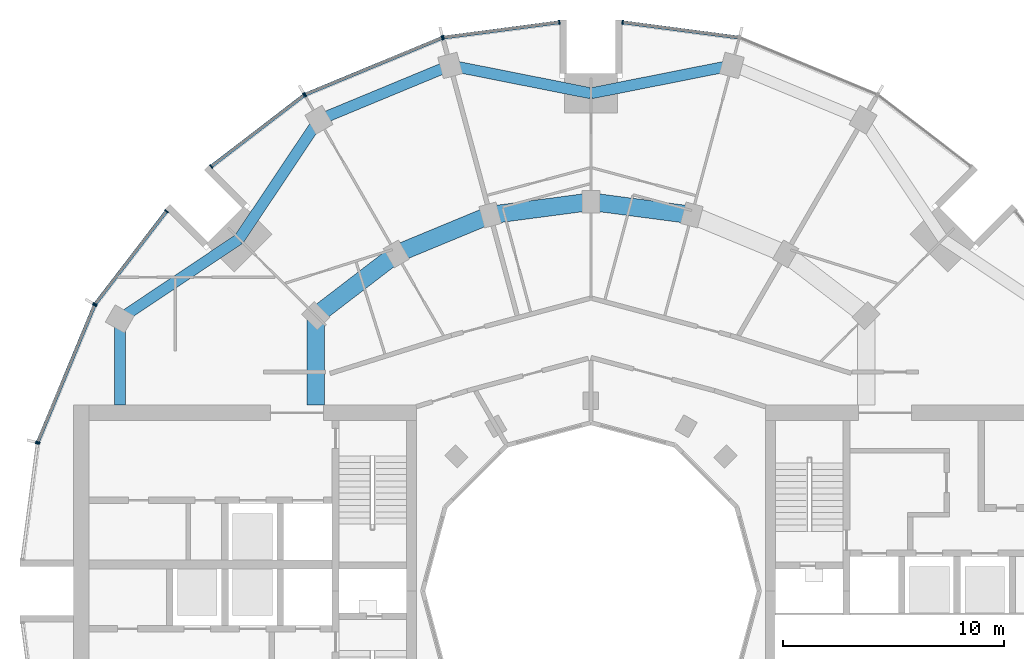
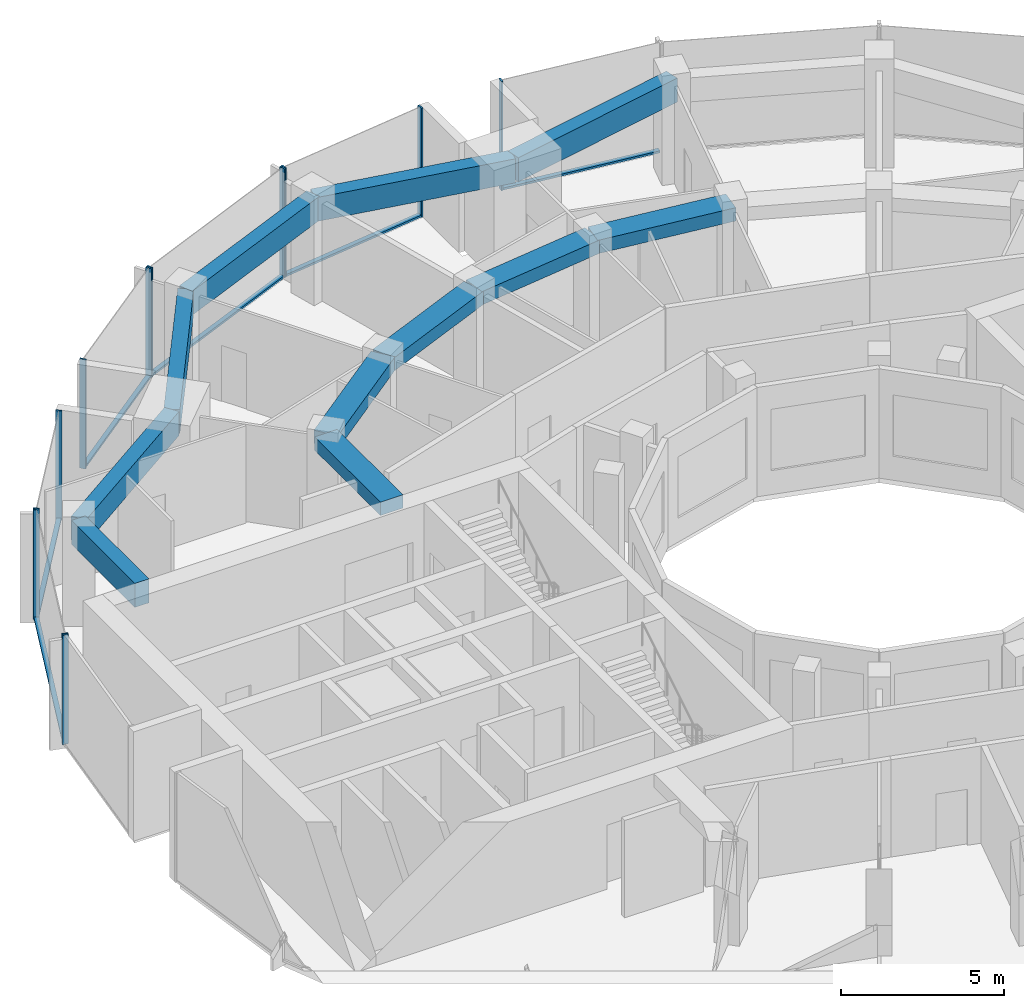
# One storey, part 5 of 15: 18 members, 11 beams, 7 elements without a shape of their own.
"""IFC4 building model written with IfcOpenShell, lengths in metres."""

import ifcopenshell
import ifcopenshell.guid

model = None  # the IFC model being written
_history = None  # IfcOwnerHistory: only IFC2X3 demands one
_inside = {}  # id of a spatial element -> (the spatial element, [elements in it])
_under = {}  # id of a project, library or spatial element -> (it, [spatial elements below it])
_declared = {}  # id of a project -> (the project, [libraries it declares])
_typed = {}  # id of a type object -> (the type object, [elements of that type])
_made_of = {}  # id of a material, layer set ... -> (it, [elements and type objects made of it])


def new_model(schema):
    """Start an empty IFC model of exactly this schema.

    Asked for "IFC4X3", IfcOpenShell would pick the latest addendum, in which some entities
    have other attributes; the version numbers below select the first issue.
    IFC2X3 requires an IfcOwnerHistory on every rooted entity: one is made here for all.
    """
    global model, _history
    if schema == "IFC4X3":
        model = ifcopenshell.file(schema_version=(4, 3, 0, 0))
    else:
        model = ifcopenshell.file(schema=schema)
    _inside.clear()
    _under.clear()
    _declared.clear()
    _typed.clear()
    _made_of.clear()
    _history = None
    if model.schema == "IFC2X3":
        org = make("IfcOrganization", Name="unknown")
        user = make(
            "IfcPersonAndOrganization",
            ThePerson=make("IfcPerson", FamilyName="unknown"),
            TheOrganization=org,
        )
        app = make(
            "IfcApplication",
            ApplicationDeveloper=org,
            Version="unknown",
            ApplicationFullName="unknown",
            ApplicationIdentifier="unknown",
        )
        _history = make(
            "IfcOwnerHistory",
            OwningUser=user,
            OwningApplication=app,
            ChangeAction="ADDED",
            CreationDate=0,
        )
    return model


def make(cls, **values):
    """One entity of the class cls with the attributes given. An attribute that is None is left unset."""
    return model.create_entity(
        cls, **{name: value for name, value in values.items() if value is not None}
    )


def rooted(cls, **values):
    """An entity with a GlobalId (a new one), such as an element, a storey or a relation."""
    return make(cls, GlobalId=ifcopenshell.guid.new(), OwnerHistory=_history, **values)


def si_unit(unit_type, name, prefix=None):
    """IfcSIUnit, for example si_unit("LENGTHUNIT", "METRE", prefix="MILLI")."""
    return make("IfcSIUnit", UnitType=unit_type, Prefix=prefix, Name=name)


def assignment(units):
    """IfcUnitAssignment: the units of a project."""
    return None if units is None else make("IfcUnitAssignment", Units=units)


def point(xyz):
    """IfcCartesianPoint."""
    return None if xyz is None else make("IfcCartesianPoint", Coordinates=xyz)


def direction(xyz):
    """IfcDirection."""
    return None if xyz is None else make("IfcDirection", DirectionRatios=xyz)


def frame(location, z_axis=None, x_axis=None):
    """IfcAxis2Placement3D, a coordinate frame: its origin and axes. An axis left out is left unset."""
    return make(
        "IfcAxis2Placement3D",
        Location=point(location),
        Axis=direction(z_axis),
        RefDirection=direction(x_axis),
    )


def frame_2d(location, x_axis=None):
    """IfcAxis2Placement2D, a coordinate frame in the plane: its origin and x axis."""
    return make(
        "IfcAxis2Placement2D", Location=point(location), RefDirection=direction(x_axis)
    )


def origin():
    """The frame at (0, 0, 0) with its axes left unset."""
    return frame((0.0, 0.0, 0.0))


def origin_2d():
    """The frame at (0, 0) in the plane with its x axis left unset."""
    return frame_2d((0.0, 0.0))


def place(relative_to, where):
    """IfcLocalPlacement: puts the frame where relative to a parent placement (None: the world)."""
    return make(
        "IfcLocalPlacement", PlacementRelTo=relative_to, RelativePlacement=where
    )


def context(
    kind, dimensions, precision=None, world=None, true_north=None, identifier=None
):
    """IfcGeometricRepresentationContext, for example the 3D "Model" context."""
    return make(
        "IfcGeometricRepresentationContext",
        ContextIdentifier=identifier,
        ContextType=kind,
        CoordinateSpaceDimension=dimensions,
        Precision=precision,
        WorldCoordinateSystem=world,
        TrueNorth=true_north,
    )


def subcontext(parent, identifier, kind, view, scale=None):
    """IfcGeometricRepresentationSubContext, for example "Body" below "Model"."""
    return make(
        "IfcGeometricRepresentationSubContext",
        ContextIdentifier=identifier,
        ContextType=kind,
        ParentContext=parent,
        TargetScale=scale,
        TargetView=view,
    )


def project(units=None, contexts=None):
    """IfcProject with its units and contexts."""
    return rooted(
        "IfcProject",
        Name="project",
        RepresentationContexts=contexts,
        UnitsInContext=assignment(units),
    )


def spatial(cls, under=None, at=None, **own):
    """A site, building, storey or space (cls), placed at a placement, below another one or the project."""
    s = rooted(cls, ObjectPlacement=at, **own)
    if under is not None:
        _under.setdefault(under.id(), (under, []))[1].append(s)
    return s


def profile(cls, at=None, kind="AREA", **sizes):
    """A parametric profile (cls). Its sizes go by their IFC names, for example OverallWidth=200.0."""
    return make(cls, ProfileType=kind, Position=at, **sizes)


def rectangle(**sizes):
    """IfcRectangleProfileDef."""
    return profile("IfcRectangleProfileDef", **sizes)


def extrude(swept, where, along, depth):
    """IfcExtrudedAreaSolid: the profile swept, set in the frame where, extruded along a direction by depth."""
    return make(
        "IfcExtrudedAreaSolid",
        SweptArea=swept,
        Position=where,
        ExtrudedDirection=direction(along),
        Depth=depth,
    )


def shape(context_of_items, identifier, shape_type, items):
    """IfcShapeRepresentation: the items that make up one representation, for example the "Body"."""
    return make(
        "IfcShapeRepresentation",
        ContextOfItems=context_of_items,
        RepresentationIdentifier=identifier,
        RepresentationType=shape_type,
        Items=items,
    )


def material(Name=None, Category=None):
    """IfcMaterial."""
    return make("IfcMaterial", Name=Name, Category=Category)


def layer(
    of_material, thickness, ventilated=None, Name=None, Category=None, Priority=None
):
    """IfcMaterialLayer: one layer of a wall or slab, of a material (None: an air gap)."""
    return make(
        "IfcMaterialLayer",
        Material=of_material,
        LayerThickness=thickness,
        IsVentilated=ventilated,
        Name=Name,
        Category=Category,
        Priority=Priority,
    )


def layer_set(layers, Name=None):
    """IfcMaterialLayerSet."""
    return make("IfcMaterialLayerSet", MaterialLayers=layers, LayerSetName=Name)


def material_profile(
    of_material, cross_section, Name=None, Category=None, Priority=None
):
    """IfcMaterialProfile: a cross section and its material."""
    return make(
        "IfcMaterialProfile",
        Name=Name,
        Material=of_material,
        Profile=cross_section,
        Priority=Priority,
        Category=Category,
    )


def profile_set(profiles, Name=None, composite=None):
    """IfcMaterialProfileSet."""
    return make(
        "IfcMaterialProfileSet",
        Name=Name,
        MaterialProfiles=profiles,
        CompositeProfile=composite,
    )


def made_of(thing, what):
    """Note that an element or type object is made of a material, layer set ...; save() writes the relation."""
    if what is not None:
        _made_of.setdefault(what.id(), (what, []))[1].append(thing)
    return thing


def type_object(cls, material=None, **own):
    """A type object (cls), such as IfcWallType, which elements share."""
    return made_of(rooted(cls, **own), material)


def element(
    cls,
    number,
    at=None,
    inside=None,
    cuts=None,
    type_object=None,
    material=None,
    context=None,
    identifier="Body",
    shape_type=None,
    held_by="IfcProductDefinitionShape",
    body=None,
    shapes=None,
    **own,
):
    """One element of the class cls, such as IfcWall. Its Tag is "e" and its number.

    at: its placement. inside: the storey or other place that contains it. cuts: it is an
    opening in that element (IfcRelVoidsElement). A single representation is given by context,
    identifier, shape_type and body (its items); several are given by shapes. held_by: the class
    of the entity that holds the representations. save() writes the other relations.
    """
    e = rooted(cls, Tag="e%d" % number, ObjectPlacement=at, **own)
    if body is not None:
        shapes = [shape(context, identifier, shape_type, body)]
    if shapes is not None:
        e.Representation = make(held_by, Representations=shapes)
    if inside is not None:
        _inside.setdefault(inside.id(), (inside, []))[1].append(e)
    if cuts is not None:
        rooted(
            "IfcRelVoidsElement", RelatingBuildingElement=cuts, RelatedOpeningElement=e
        )
    if type_object is not None:
        _typed.setdefault(type_object.id(), (type_object, []))[1].append(e)
    return made_of(e, material)


def aggregate(whole, parts):
    """IfcRelAggregates: a whole, such as a stair, and the parts it consists of."""
    return rooted("IfcRelAggregates", RelatingObject=whole, RelatedObjects=parts)


def save(model, path):
    """Write the relations noted so far, then the file.

    IfcRelAggregates (storeys below a building ...), IfcRelContainedInSpatialStructure (elements
    in a storey), IfcRelDefinesByType, IfcRelAssociatesMaterial and IfcRelDeclares: one each for
    every whole, place, type object, material and project.
    """
    for whole, parts in _under.values():
        aggregate(whole, parts)
    for where, things in _inside.values():
        rooted(
            "IfcRelContainedInSpatialStructure",
            RelatedElements=things,
            RelatingStructure=where,
        )
    for kind, things in _typed.values():
        rooted("IfcRelDefinesByType", RelatedObjects=things, RelatingType=kind)
    for what, things in _made_of.values():
        rooted("IfcRelAssociatesMaterial", RelatedObjects=things, RelatingMaterial=what)
    for by, libraries in _declared.values():
        rooted("IfcRelDeclares", RelatingContext=by, RelatedDefinitions=libraries)
    model.write(path)


model = new_model("IFC4")

# Units and contexts
model_context = context("Model", 3, precision=1e-05, world=origin(), true_north=direction((0.0, 1.0)))
body_context = subcontext(model_context, "Body", "Model", "MODEL_VIEW")
ifc_project = project(units=[si_unit("LENGTHUNIT", "METRE"), si_unit("AREAUNIT", "SQUARE_METRE"), si_unit("VOLUMEUNIT", "CUBIC_METRE"), si_unit("PLANEANGLEUNIT", "RADIAN"), si_unit("MASSUNIT", "GRAM", prefix="KILO")], contexts=[model_context])

# Site, building, storey
site_placement = place(None, origin())
site = spatial("IfcSite", under=ifc_project, at=site_placement, CompositionType="ELEMENT")
building_placement = place(site_placement, origin())
building = spatial("IfcBuilding", under=site, at=building_placement, Name="Torre Brocal", CompositionType="ELEMENT")
storey_placement = place(building_placement, frame((0.0, 0.0, 202.800048828125)))
storey = spatial("IfcBuildingStorey", under=building, at=storey_placement, Name="L47", CompositionType="ELEMENT", Elevation=202.800048828125)

# Curtain wall, member
ifc_material_1 = material(Name="Aluminium and glass", Category="aluminium")
ifc_layer_1 = layer(ifc_material_1, 0.199951171875)
ifc_layer_set_1 = layer_set([ifc_layer_1], Name="Aluminium and glass")
curtain_wall_type_1 = type_object("IfcCurtainWallType", Name="CW-1 CURTAIN WALL 4100 HIGH", PredefinedType="NOTDEFINED", material=ifc_layer_set_1)
curtain_wall_1_placement = place(storey_placement, origin())
curtain_wall_1 = element("IfcCurtainWall", 1, at=curtain_wall_1_placement, inside=storey, type_object=curtain_wall_type_1, Name="CW-1 RUN 6", PredefinedType="NOTDEFINED")
ifc_material_2 = material(Name="Aluminium, dark anodised", Category="aluminium")
ifc_material_profile_1 = material_profile(ifc_material_2, rectangle(XDim=0.199951171875, YDim=0.06005859375, at=origin_2d()), Name="CW-1 MULLION 60X200")
ifc_profile_set_1 = profile_set([ifc_material_profile_1], Name="Aluminium, dark anodised")
member_type_1 = type_object("IfcMemberType", Name="CW-1 MULLION 60X200", PredefinedType="MULLION", material=ifc_profile_set_1)
member_1_placement = place(storey_placement, frame((81.4296875, 100.7109375, 0.0), z_axis=(0.0, 0.0, 1.0), x_axis=(-0.13052619222, -0.991444861374, 0.0)))
member_1 = element("IfcMember", 2, at=member_1_placement, type_object=member_type_1, Name="CW1-4 mullion 2", PredefinedType="MULLION", context=body_context, shape_type="SweptSolid", body=[
    extrude(rectangle(XDim=0.199951171875, YDim=0.06005859375, at=origin_2d()), origin(), (0.0, 0.0, 1.0), 4.099853515625),
])

# Curtain wall, members
curtain_wall_2_placement = place(storey_placement, origin())
curtain_wall_2 = element("IfcCurtainWall", 3, at=curtain_wall_2_placement, inside=storey, type_object=curtain_wall_type_1, Name="CW-1 RUN 7", PredefinedType="NOTDEFINED")
member_2_placement = place(storey_placement, frame((78.5703125, 100.7109375, 0.0), z_axis=(0.0, 0.0, 1.0), x_axis=(0.13052619222, -0.991444861374, 0.0)))
member_2 = element("IfcMember", 4, at=member_2_placement, type_object=member_type_1, Name="CW1-4 mullion 1", PredefinedType="MULLION", context=body_context, shape_type="SweptSolid", body=[
    extrude(rectangle(XDim=0.199951171875, YDim=0.06005859375, at=origin_2d()), origin(), (0.0, 0.0, 1.0), 4.099853515625),
])
member_3_placement = place(storey_placement, frame((73.32666015625, 100.0205078125, 0.0), z_axis=(0.0, 0.0, 1.0), x_axis=(0.13052619222, -0.991444861374, 0.0)))
member_3 = element("IfcMember", 5, at=member_3_placement, type_object=member_type_1, Name="CW1-4 mullion 2", PredefinedType="MULLION", context=body_context, shape_type="SweptSolid", body=[
    extrude(rectangle(XDim=0.199951171875, YDim=0.06005859375, at=origin_2d()), origin(), (0.0, 0.0, 1.0), 4.099853515625),
])

curtain_wall_3_placement = place(storey_placement, origin())
curtain_wall_3 = element("IfcCurtainWall", 6, at=curtain_wall_3_placement, inside=storey, type_object=curtain_wall_type_1, Name="CW-1 RUN 8", PredefinedType="NOTDEFINED")
member_4_placement = place(storey_placement, frame((73.26904296875, 100.005126953125, 0.0), z_axis=(0.0, 0.0, 1.0), x_axis=(0.382683432333, -0.923879532525, 0.0)))
member_4 = element("IfcMember", 7, at=member_4_placement, type_object=member_type_1, Name="CW1-4 mullion 1", PredefinedType="MULLION", context=body_context, shape_type="SweptSolid", body=[
    extrude(rectangle(XDim=0.199951171875, YDim=0.06005859375, at=origin_2d()), origin(), (0.0, 0.0, 1.0), 4.099853515625),
])
member_5_placement = place(storey_placement, frame((67.078125, 97.440673828125, 0.0), z_axis=(0.0, 0.0, 1.0), x_axis=(0.382683432333, -0.923879532525, 0.0)))
member_5 = element("IfcMember", 8, at=member_5_placement, type_object=member_type_1, Name="CW1-4 mullion 2", PredefinedType="MULLION", context=body_context, shape_type="SweptSolid", body=[
    extrude(rectangle(XDim=0.199951171875, YDim=0.06005859375, at=origin_2d()), origin(), (0.0, 0.0, 1.0), 4.099853515625),
])

curtain_wall_4_placement = place(storey_placement, origin())
curtain_wall_4 = element("IfcCurtainWall", 9, at=curtain_wall_4_placement, inside=storey, type_object=curtain_wall_type_1, Name="CW-1 RUN 9", PredefinedType="NOTDEFINED")
member_6_placement = place(storey_placement, frame((67.026611328125, 97.4111328125, 0.0), z_axis=(0.0, 0.0, 1.0), x_axis=(0.60876142905, -0.793353340259, 0.0)))
member_6 = element("IfcMember", 10, at=member_6_placement, type_object=member_type_1, Name="CW1-4 mullion 1", PredefinedType="MULLION", context=body_context, shape_type="SweptSolid", body=[
    extrude(rectangle(XDim=0.199951171875, YDim=0.06005859375, at=origin_2d()), origin(), (0.0, 0.0, 1.0), 4.099853515625),
])
member_7_placement = place(storey_placement, frame((62.83056640625, 94.19140625, 0.0), z_axis=(0.0, 0.0, 1.0), x_axis=(0.60876142905, -0.793353340259, 0.0)))
member_7 = element("IfcMember", 11, at=member_7_placement, type_object=member_type_1, Name="CW1-4 mullion 2", PredefinedType="MULLION", context=body_context, shape_type="SweptSolid", body=[
    extrude(rectangle(XDim=0.199951171875, YDim=0.06005859375, at=origin_2d()), origin(), (0.0, 0.0, 1.0), 4.099853515625),
])

curtain_wall_5_placement = place(storey_placement, origin())
curtain_wall_5 = element("IfcCurtainWall", 12, at=curtain_wall_5_placement, inside=storey, type_object=curtain_wall_type_1, Name="CW-1 RUN 10", PredefinedType="NOTDEFINED")
member_8_placement = place(storey_placement, frame((60.80859375, 92.16943359375, 0.0), z_axis=(0.0, 0.0, 1.0), x_axis=(0.793353340259, -0.60876142905, 0.0)))
member_8 = element("IfcMember", 13, at=member_8_placement, type_object=member_type_1, Name="CW1-4 mullion 1", PredefinedType="MULLION", context=body_context, shape_type="SweptSolid", body=[
    extrude(rectangle(XDim=0.199951171875, YDim=0.06005859375, at=origin_2d()), origin(), (0.0, 0.0, 1.0), 4.099853515625),
])
member_9_placement = place(storey_placement, frame((57.5888671875, 87.973388671875, 0.0), z_axis=(0.0, 0.0, 1.0), x_axis=(0.793353340259, -0.60876142905, 0.0)))
member_9 = element("IfcMember", 14, at=member_9_placement, type_object=member_type_1, Name="CW1-4 mullion 2", PredefinedType="MULLION", context=body_context, shape_type="SweptSolid", body=[
    extrude(rectangle(XDim=0.199951171875, YDim=0.06005859375, at=origin_2d()), origin(), (0.0, 0.0, 1.0), 4.099853515625),
])

curtain_wall_6_placement = place(storey_placement, origin())
curtain_wall_6 = element("IfcCurtainWall", 15, at=curtain_wall_6_placement, inside=storey, type_object=curtain_wall_type_1, Name="CW-1 RUN 11", PredefinedType="NOTDEFINED")
member_10_placement = place(storey_placement, frame((57.559326171875, 87.921875, 0.0), z_axis=(0.0, 0.0, 1.0), x_axis=(0.923879532525, -0.382683432333, 0.0)))
member_10 = element("IfcMember", 16, at=member_10_placement, type_object=member_type_1, Name="CW1-4 mullion 1", PredefinedType="MULLION", context=body_context, shape_type="SweptSolid", body=[
    extrude(rectangle(XDim=0.199951171875, YDim=0.06005859375, at=origin_2d()), origin(), (0.0, 0.0, 1.0), 4.099853515625),
])
member_11_placement = place(storey_placement, frame((54.994873046875, 81.73095703125, 0.0), z_axis=(0.0, 0.0, 1.0), x_axis=(0.923879532525, -0.382683432333, 0.0)))
member_11 = element("IfcMember", 17, at=member_11_placement, type_object=member_type_1, Name="CW1-4 mullion 2", PredefinedType="MULLION", context=body_context, shape_type="SweptSolid", body=[
    extrude(rectangle(XDim=0.199951171875, YDim=0.06005859375, at=origin_2d()), origin(), (0.0, 0.0, 1.0), 4.099853515625),
])

# Member
ifc_material_3 = material(Name="Aluminium, dark anodised", Category="aluminium")
ifc_material_profile_2 = material_profile(ifc_material_3, rectangle(XDim=0.159912109375, YDim=0.080078125, at=origin_2d()), Name="CW-1 TRANSOM 160X80")
ifc_profile_set_2 = profile_set([ifc_material_profile_2], Name="Aluminium, dark anodised")
member_type_2 = type_object("IfcMemberType", Name="CW-1 TRANSOM 160X80", PredefinedType="USERDEFINED", material=ifc_profile_set_2)
member_12_placement = place(storey_placement, frame((86.643798828125, 100.0244140625, 0.0400390625), z_axis=(-0.991442690863, 0.130542677827, 0.0), x_axis=(-0.130542677827, -0.991442690863, 0.0)))
member_12 = element("IfcMember", 18, at=member_12_placement, type_object=member_type_2, Name="CW1-4 transom 1.1", ObjectType="TRANSOM", PredefinedType="USERDEFINED", context=body_context, shape_type="SweptSolid", body=[
    extrude(rectangle(XDim=0.159912109375, YDim=0.080078125, at=origin_2d()), origin(), (0.0, 0.0, 1.0), 5.22900390625),
])

aggregate(curtain_wall_1, [member_1, member_12])

member_13_placement = place(storey_placement, frame((78.54052734375, 100.70703125, 0.0400390625), z_axis=(-0.991442690863, -0.130542677827, 0.0), x_axis=(0.130542677827, -0.991442690863, 0.0)))
member_13 = element("IfcMember", 19, at=member_13_placement, type_object=member_type_2, Name="CW1-4 transom 1.1", ObjectType="TRANSOM", PredefinedType="USERDEFINED", context=body_context, shape_type="SweptSolid", body=[
    extrude(rectangle(XDim=0.159912109375, YDim=0.080078125, at=origin_2d()), origin(), (0.0, 0.0, 1.0), 5.22900390625),
])

aggregate(curtain_wall_2, [member_2, member_3, member_13])

member_14_placement = place(storey_placement, frame((73.241455078125, 99.99365234375, 0.0400390625), z_axis=(-0.923887344364, -0.38266457234, 0.0), x_axis=(0.38266457234, -0.923887344364, 0.0)))
member_14 = element("IfcMember", 20, at=member_14_placement, type_object=member_type_2, Name="CW1-4 transom 1.1", ObjectType="TRANSOM", PredefinedType="USERDEFINED", context=body_context, shape_type="SweptSolid", body=[
    extrude(rectangle(XDim=0.159912109375, YDim=0.080078125, at=origin_2d()), origin(), (0.0, 0.0, 1.0), 6.640869140625),
])

aggregate(curtain_wall_3, [member_4, member_5, member_14])

member_15_placement = place(storey_placement, frame((67.0029296875, 97.392822265625, 0.0400390625), z_axis=(-0.79336281513, -0.60874908096, 0.0), x_axis=(0.60874908096, -0.79336281513, 0.0)))
member_15 = element("IfcMember", 21, at=member_15_placement, type_object=member_type_2, Name="CW1-4 transom 1.1", ObjectType="TRANSOM", PredefinedType="USERDEFINED", context=body_context, shape_type="SweptSolid", body=[
    extrude(rectangle(XDim=0.159912109375, YDim=0.080078125, at=origin_2d()), origin(), (0.0, 0.0, 1.0), 5.22900390625),
])

aggregate(curtain_wall_4, [member_6, member_7, member_15])

member_16_placement = place(storey_placement, frame((60.790283203125, 92.1455078125, 0.0400390625), z_axis=(-0.60874908096, -0.79336281513, 0.0), x_axis=(0.79336281513, -0.60874908096, 0.0)))
member_16 = element("IfcMember", 22, at=member_16_placement, type_object=member_type_2, Name="CW1-4 transom 1.1", ObjectType="TRANSOM", PredefinedType="USERDEFINED", context=body_context, shape_type="SweptSolid", body=[
    extrude(rectangle(XDim=0.159912109375, YDim=0.080078125, at=origin_2d()), origin(), (0.0, 0.0, 1.0), 5.22900390625),
])

aggregate(curtain_wall_5, [member_8, member_9, member_16])

member_17_placement = place(storey_placement, frame((57.547607421875, 87.89404296875, 0.0400390625), z_axis=(-0.38266457234, -0.923887344364, 0.0), x_axis=(0.923887344364, -0.38266457234, 0.0)))
member_17 = element("IfcMember", 23, at=member_17_placement, type_object=member_type_2, Name="CW1-4 transom 1.1", ObjectType="TRANSOM", PredefinedType="USERDEFINED", context=body_context, shape_type="SweptSolid", body=[
    extrude(rectangle(XDim=0.159912109375, YDim=0.080078125, at=origin_2d()), origin(), (0.0, 0.0, 1.0), 6.640869140625),
])

aggregate(curtain_wall_6, [member_10, member_11, member_17])

# Curtain wall, member
ifc_material_4 = material(Name="Aluminium and glass", Category="aluminium")
ifc_layer_2 = layer(ifc_material_4, 0.199951171875)
ifc_layer_set_2 = layer_set([ifc_layer_2], Name="Aluminium and glass")
curtain_wall_type_2 = type_object("IfcCurtainWallType", Name="CW-1B CURTAIN WALL 4100 HIGH", PredefinedType="NOTDEFINED", material=ifc_layer_set_2)
curtain_wall_7_placement = place(storey_placement, origin())
curtain_wall_7 = element("IfcCurtainWall", 24, at=curtain_wall_7_placement, inside=storey, type_object=curtain_wall_type_2, Name="CW-1B RUN 12", PredefinedType="NOTDEFINED")
ifc_material_5 = material(Name="Aluminium, dark anodised", Category="aluminium")
ifc_material_profile_3 = material_profile(ifc_material_5, rectangle(XDim=0.199951171875, YDim=0.06005859375, at=origin_2d()), Name="CW-1B MULLION 60X200")
ifc_profile_set_3 = profile_set([ifc_material_profile_3], Name="Aluminium, dark anodised")
member_type_3 = type_object("IfcMemberType", Name="CW-1B MULLION 60X200", PredefinedType="MULLION", material=ifc_profile_set_3)
member_18_placement = place(storey_placement, frame((54.9794921875, 81.67333984375, 0.0), z_axis=(0.0, 0.0, 1.0), x_axis=(0.991444861374, -0.13052619222, 0.0)))
member_18 = element("IfcMember", 25, at=member_18_placement, type_object=member_type_3, Name="CW1B-4 mullion 1", PredefinedType="MULLION", context=body_context, shape_type="SweptSolid", body=[
    extrude(rectangle(XDim=0.199951171875, YDim=0.06005859375, at=origin_2d()), origin(), (0.0, 0.0, 1.0), 4.099853515625),
])
aggregate(curtain_wall_7, [member_18])

# Beams
ifc_material_6 = material(Name="Concrete C50", Category="concrete")
ifc_material_profile_4 = material_profile(ifc_material_6, rectangle(XDim=0.800048828125, YDim=0.5, at=origin_2d()), Name="RC 800X500")
ifc_profile_set_4 = profile_set([ifc_material_profile_4], Name="Concrete C50")
beam_type_1 = type_object("IfcBeamType", Name="RC BEAM 800X500 C50 TOP 3750", PredefinedType="BEAM", material=ifc_profile_set_4)
for number, where, z_axis, x_axis, name in (
    (26, (84.55517578125, 92.000244140625, 3.5), (-0.991440544449, 0.130558978332, 0.0), (-0.130558978332, -0.991440544449, 0.0), "Beam BT-34"),
    (27, (80.0, 92.60009765625, 3.5), (-0.991440544449, -0.130558978332, 0.0), (0.130558978332, -0.991440544449, 0.0), "Beam BT-34"),
):
    element("IfcBeam", number, at=place(storey_placement, frame(where, z_axis=z_axis, x_axis=x_axis)), inside=storey, type_object=beam_type_1, Name=name, PredefinedType="BEAM", context=body_context, shape_type="SweptSolid", body=[
        extrude(rectangle(XDim=0.800048828125, YDim=0.5, at=origin_2d()), origin(), (0.0, 0.0, 1.0), 4.594482421875),
    ])
beam_1_placement = place(storey_placement, frame((75.44482421875, 92.000244140625, 3.5), z_axis=(-0.923878240166, -0.382686552348, 0.0), x_axis=(0.382686552348, -0.923878240166, 0.0)))
element("IfcBeam", 28, at=beam_1_placement, inside=storey, type_object=beam_type_1, Name="Beam BT-34", PredefinedType="BEAM", context=body_context, shape_type="SweptSolid", body=[
    extrude(rectangle(XDim=0.800048828125, YDim=0.5, at=origin_2d()), origin(), (0.0, 0.0, 1.0), 4.5947265625),
])
beam_2_placement = place(storey_placement, frame((71.199951171875, 90.241943359375, 3.5), z_axis=(-0.793358265959, -0.6087550097, 0.0), x_axis=(0.6087550097, -0.793358265959, 0.0)))
element("IfcBeam", 29, at=beam_2_placement, inside=storey, type_object=beam_type_1, Name="Beam BT-34", PredefinedType="BEAM", context=body_context, shape_type="SweptSolid", body=[
    extrude(rectangle(XDim=0.800048828125, YDim=0.5, at=origin_2d()), origin(), (0.0, 0.0, 1.0), 4.594482421875),
])
beam_3_placement = place(storey_placement, frame((67.554931640625, 87.445068359375, 3.5), z_axis=(0.0, -1.0, 0.0), x_axis=(1.0, 0.0, 0.0)))
element("IfcBeam", 30, at=beam_3_placement, inside=storey, type_object=beam_type_1, Name="Beam BT-34", PredefinedType="BEAM", context=body_context, shape_type="SweptSolid", body=[
    extrude(rectangle(XDim=0.800048828125, YDim=0.5, at=origin_2d()), origin(), (0.0, 0.0, 1.0), 4.045166015625),
])
ifc_material_7 = material(Name="Concrete C50", Category="concrete")
ifc_material_profile_5 = material_profile(ifc_material_7, rectangle(XDim=0.5, YDim=0.89990234375, at=origin_2d()), Name="RC 500X900")
ifc_profile_set_5 = profile_set([ifc_material_profile_5], Name="Concrete C50")
beam_type_2 = type_object("IfcBeamType", Name="RC SPANDREL BEAM 500X900 C50 TOP 3750", PredefinedType="SPANDREL", material=ifc_profile_set_5)
for number, where, z_axis, x_axis, name in (
    (31, (86.366943359375, 98.76171875, 3.300048828125), (-0.980924907484, -0.194387051723, 0.0), (0.194387051723, -0.980924907484, 0.0), "Beam BT-35"),
    (32, (80.0, 97.5, 3.300048828125), (-0.980924907484, 0.194387051723, 0.0), (-0.194387051723, -0.980924907484, 0.0), "Beam BT-35"),
):
    element("IfcBeam", number, at=place(storey_placement, frame(where, z_axis=z_axis, x_axis=x_axis)), inside=storey, type_object=beam_type_2, Name=name, PredefinedType="SPANDREL", context=body_context, shape_type="SweptSolid", body=[
        extrude(rectangle(XDim=0.5, YDim=0.89990234375, at=origin_2d()), origin(), (0.0, 0.0, 1.0), 6.49072265625),
    ])
beam_4_placement = place(storey_placement, frame((73.633056640625, 98.76171875, 3.300048828125), z_axis=(-0.923882462513, -0.382676358639, 0.0), x_axis=(0.382676358639, -0.923882462513, 0.0)))
element("IfcBeam", 33, at=beam_4_placement, inside=storey, type_object=beam_type_2, Name="Beam BT-35", PredefinedType="SPANDREL", context=body_context, shape_type="SweptSolid", body=[
    extrude(rectangle(XDim=0.5, YDim=0.89990234375, at=origin_2d()), origin(), (0.0, 0.0, 1.0), 6.421875),
])
for number, where, z_axis, x_axis, name in (
    (34, (67.699951171875, 96.30419921875, 3.300048828125), (-0.556157602282, -0.831076844476, 0.0), (0.831076844476, -0.556157602282, 0.0), "Beam BT-35"),
    (35, (64.090087890625, 90.909912109375, 3.300048828125), (-0.831076844476, -0.556157602282, 0.0), (0.556157602282, -0.831076844476, 0.0), "Beam BT-35"),
):
    element("IfcBeam", number, at=place(storey_placement, frame(where, z_axis=z_axis, x_axis=x_axis)), inside=storey, type_object=beam_type_2, Name=name, PredefinedType="SPANDREL", context=body_context, shape_type="SweptSolid", body=[
        extrude(rectangle(XDim=0.5, YDim=0.89990234375, at=origin_2d()), origin(), (0.0, 0.0, 1.0), 6.49072265625),
    ])
beam_5_placement = place(storey_placement, frame((58.69580078125, 87.300048828125, 3.300048828125), z_axis=(0.0, -1.0, 0.0), x_axis=(1.0, 0.0, 0.0)))
element("IfcBeam", 36, at=beam_5_placement, inside=storey, type_object=beam_type_2, Name="Beam BT-35", PredefinedType="SPANDREL", context=body_context, shape_type="SweptSolid", body=[
    extrude(rectangle(XDim=0.5, YDim=0.89990234375, at=origin_2d()), origin(), (0.0, 0.0, 1.0), 3.900146484375),
])

save(model, "model.ifc")
